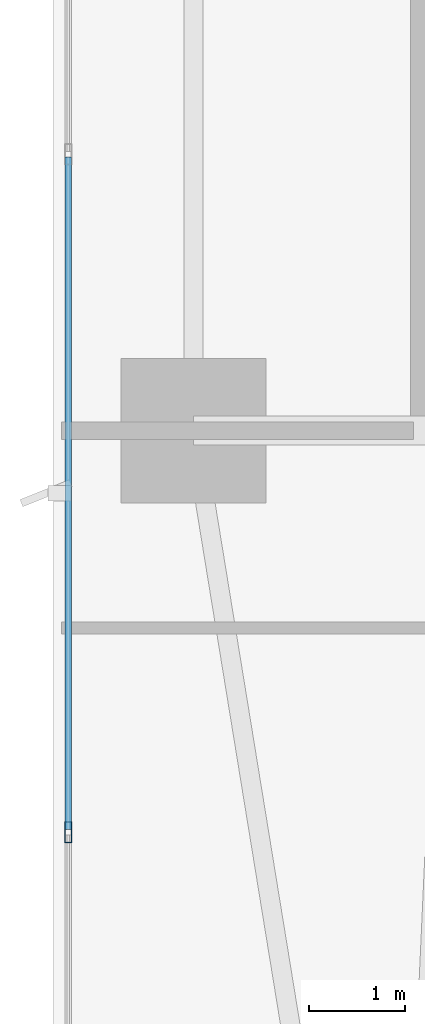
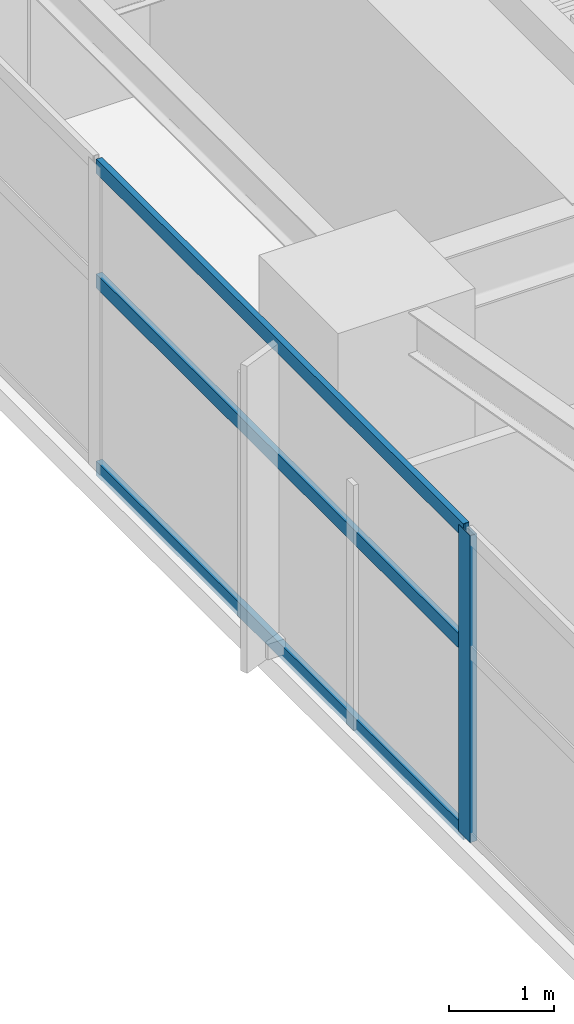
# One storey, part 4 of 30: 4 members, 1 element without a shape of its own.
"""IFC4 building model written with IfcOpenShell, lengths in metres."""

from ifc_helpers import new_model, si_unit, direction, frame, origin, origin_2d, place, context, subcontext, project, spatial, hollow_rectangle, extrude, material, layer, layer_set, material_profile, profile_set, type_object, element, aggregate, save


model = new_model("IFC4")

# Units and contexts
model_context = context("Model", 3, precision=1e-05, world=origin(), true_north=direction((0.0, 1.0)))
body_context = subcontext(model_context, "Body", "Model", "MODEL_VIEW")
ifc_project = project(units=[si_unit("LENGTHUNIT", "METRE"), si_unit("AREAUNIT", "SQUARE_METRE"), si_unit("VOLUMEUNIT", "CUBIC_METRE"), si_unit("PLANEANGLEUNIT", "RADIAN"), si_unit("MASSUNIT", "GRAM", prefix="KILO")], contexts=[model_context])

# Site, building, storey
site_placement = place(None, origin())
site = spatial("IfcSite", under=ifc_project, at=site_placement, CompositionType="ELEMENT")
building_placement = place(site_placement, origin())
building = spatial("IfcBuilding", under=site, at=building_placement, Name="Calvorn Quay Hotel", CompositionType="ELEMENT")
storey_placement = place(building_placement, frame((0.0, 0.0, 73.60009765625)))
storey = spatial("IfcBuildingStorey", under=building, at=storey_placement, Name="L17", CompositionType="ELEMENT", Elevation=73.60009765625)

# Curtain wall, members
ifc_material_1 = material(Name="Pale Anodised Aluminium and Low-E Glass", Category="aluminium")
ifc_layer = layer(ifc_material_1, 0.219970703125)
ifc_layer_set = layer_set([ifc_layer], Name="CW-SYS-Z1")
curtain_wall_type = type_object("IfcCurtainWallType", Name="CW-SYS-Z1", PredefinedType="NOTDEFINED", material=ifc_layer_set)
curtain_wall_placement = place(storey_placement, origin())
curtain_wall = element("IfcCurtainWall", 1, at=curtain_wall_placement, inside=storey, type_object=curtain_wall_type, Name="Tower West Curtain Wall (L17)", PredefinedType="NOTDEFINED")
ifc_material_2 = material(Name="Pale Anodised Aluminium 6063-T6", Category="aluminium")
ifc_material_profile_1 = material_profile(ifc_material_2, hollow_rectangle(XDim=0.074951171875, YDim=0.219970703125, WallThickness=0.00439453125, at=origin_2d()), Name="ALU-M220x75x4.5")
ifc_profile_set_1 = profile_set([ifc_material_profile_1], Name="Pale Anodised Aluminium 6063-T6")
member_type_1 = type_object("IfcMemberType", Name="CW-SYS-Z1-MUL", PredefinedType="MULLION", material=ifc_profile_set_1)
member_1_placement = place(storey_placement, frame((0.14990234375, 12.63330078125, 0.0), z_axis=(0.0, 0.0, 1.0), x_axis=(-1.0, 0.0, 0.0)))
member_1 = element("IfcMember", 2, at=member_1_placement, type_object=member_type_1, Name="CW-L17-W mullion 2", PredefinedType="MULLION", context=body_context, shape_type="SweptSolid", body=[
    extrude(hollow_rectangle(XDim=0.074951171875, YDim=0.219970703125, WallThickness=0.00439453125, at=origin_2d()), origin(), (0.0, 0.0, 1.0), 3.559814453125),
])
ifc_material_3 = material(Name="Pale Anodised Aluminium 6063-T6", Category="aluminium")
ifc_material_profile_2 = material_profile(ifc_material_3, hollow_rectangle(XDim=0.06494140625, YDim=0.1650390625, WallThickness=0.00341796875, at=origin_2d()), Name="ALU-T165x65x3.5")
ifc_profile_set_2 = profile_set([ifc_material_profile_2], Name="Pale Anodised Aluminium 6063-T6")
member_type_2 = type_object("IfcMemberType", Name="CW-SYS-Z1-TRN", PredefinedType="USERDEFINED", material=ifc_profile_set_2)
member_2_placement = place(storey_placement, frame((0.14990234375, 12.663330078125, 0.02978515625), z_axis=(0.0, 1.0, 0.0), x_axis=(-1.0, 0.0, 0.0)))
member_2 = element("IfcMember", 3, at=member_2_placement, type_object=member_type_2, Name="CW-L17-W transom 2.1", ObjectType="TRANSOM", PredefinedType="USERDEFINED", context=body_context, shape_type="SweptSolid", body=[
    extrude(hollow_rectangle(XDim=0.06494140625, YDim=0.1650390625, WallThickness=0.00341796875, at=origin_2d()), origin(), (0.0, 0.0, 1.0), 6.973388671875),
])
member_3_placement = place(storey_placement, frame((0.14990234375, 12.663330078125, 2.199951171875), z_axis=(0.0, 1.0, 0.0), x_axis=(-1.0, 0.0, 0.0)))
member_3 = element("IfcMember", 4, at=member_3_placement, type_object=member_type_2, Name="CW-L17-W transom 2.2", ObjectType="TRANSOM", PredefinedType="USERDEFINED", context=body_context, shape_type="SweptSolid", body=[
    extrude(hollow_rectangle(XDim=0.06494140625, YDim=0.1650390625, WallThickness=0.00341796875, at=origin_2d()), origin(), (0.0, 0.0, 1.0), 6.973388671875),
])
member_4_placement = place(storey_placement, frame((0.14990234375, 12.663330078125, 3.52978515625), z_axis=(0.0, 1.0, 0.0), x_axis=(-1.0, 0.0, 0.0)))
member_4 = element("IfcMember", 5, at=member_4_placement, type_object=member_type_2, Name="CW-L17-W transom 2.3", ObjectType="TRANSOM", PredefinedType="USERDEFINED", context=body_context, shape_type="SweptSolid", body=[
    extrude(hollow_rectangle(XDim=0.06494140625, YDim=0.1650390625, WallThickness=0.00341796875, at=origin_2d()), origin(), (0.0, 0.0, 1.0), 6.973388671875),
])
aggregate(curtain_wall, [member_1, member_2, member_3, member_4])

save(model, "model.ifc")
